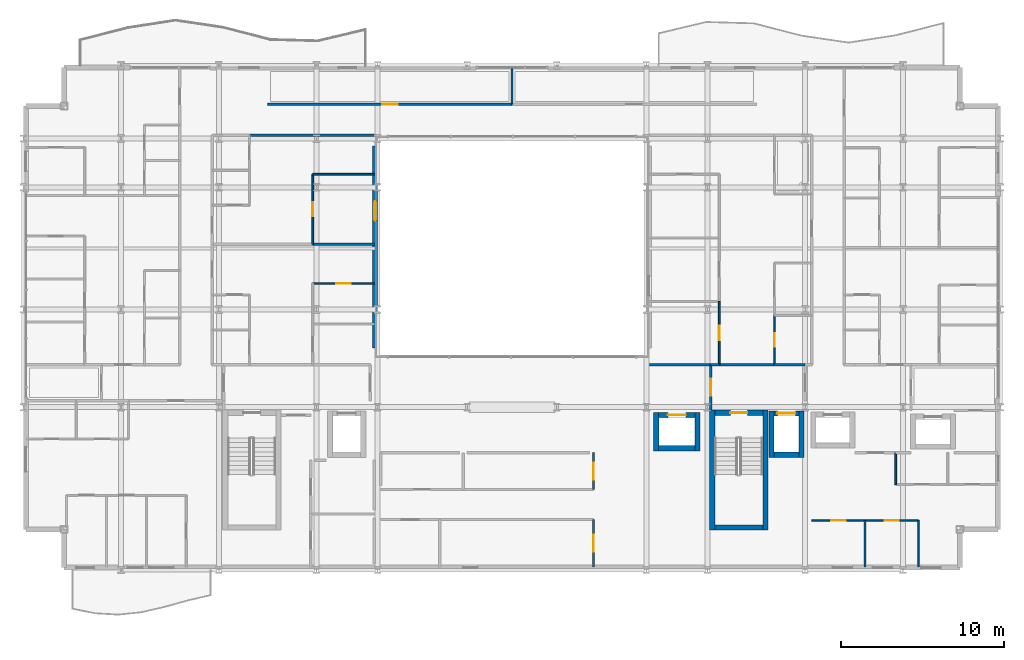
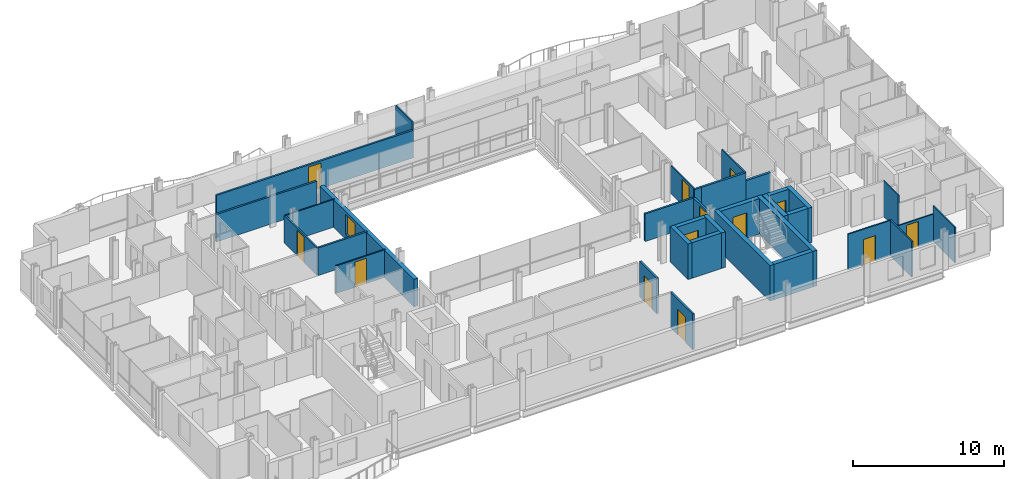
# One storey, part 34 of 41: 34 walls, 13 doors, 1 window, 14 openings.
"""IFC4 building model written with IfcOpenShell, lengths in metres."""

from ifc_helpers import new_model, si_unit, direction, frame, frame_2d, origin, place, context, subcontext, project, spatial, rectangle, extrude, material, layer, layer_set, type_object, element, fill, save


model = new_model("IFC4")

# Units and contexts
model_context = context("Model", 3, precision=1e-05, world=origin(), true_north=direction((0.0, 1.0)))
body_context = subcontext(model_context, "Body", "Model", "MODEL_VIEW")
ifc_project = project(units=[si_unit("LENGTHUNIT", "METRE"), si_unit("AREAUNIT", "SQUARE_METRE"), si_unit("VOLUMEUNIT", "CUBIC_METRE"), si_unit("PLANEANGLEUNIT", "RADIAN"), si_unit("MASSUNIT", "GRAM", prefix="KILO")], contexts=[model_context])

# Site, building, storey
site_placement = place(None, origin())
site = spatial("IfcSite", under=ifc_project, at=site_placement, CompositionType="ELEMENT")
building_placement = place(site_placement, origin())
building = spatial("IfcBuilding", under=site, at=building_placement, Name="Brevholm Reach", CompositionType="ELEMENT")
storey_placement = place(building_placement, frame((0.0, 0.0, 43.5)))
storey = spatial("IfcBuildingStorey", under=building, at=storey_placement, Name="L11", CompositionType="ELEMENT", Elevation=43.5)

# Walls
ifc_material_1 = material(Name="Concrete C60/75", Category="concrete")
ifc_layer_1 = layer(ifc_material_1, 0.320068359375)
ifc_layer_set_1 = layer_set([ifc_layer_1], Name="Concrete C60/75")
wall_type_1 = type_object("IfcWallType", Name="WAL-COR-320", PredefinedType="SHEAR", material=ifc_layer_set_1)
for number, where, z_axis, x_axis, name in (
    (1, (42.2900390625, 2.4599609375, 0.0), (0.0, 0.0, 1.0), (0.0, 1.0, 0.0), "L11 Escape Stair ST-2 Core Wall W"),
    (2, (45.56005859375, 2.4599609375, 0.0), (0.0, 0.0, 1.0), (0.0, 1.0, 0.0), "L11 Escape Stair ST-2 Core Wall E"),
):
    element("IfcWall", number, at=place(storey_placement, frame(where, z_axis=z_axis, x_axis=x_axis)), inside=storey, type_object=wall_type_1, Name=name, PredefinedType="SHEAR", context=body_context, shape_type="SweptSolid", body=[
        extrude(rectangle(XDim=7.360107421875, YDim=0.320068359375, at=frame_2d((3.68017578125, 0.0))), origin(), (0.0, 0.0, 1.0), 2.8701171875),
    ])
wall_1_placement = place(storey_placement, frame((42.449951171875, 2.6201171875, 0.0), z_axis=(0.0, 0.0, 1.0), x_axis=(1.0, 0.0, 0.0)))
element("IfcWall", 3, at=wall_1_placement, inside=storey, type_object=wall_type_1, Name="L11 Escape Stair ST-2 Core Wall S", PredefinedType="SHEAR", context=body_context, shape_type="SweptSolid", body=[
    extrude(rectangle(XDim=2.949951171875, YDim=0.320068359375, at=frame_2d((1.47509765625, 0.0))), origin(), (0.0, 0.0, 1.0), 2.8701171875),
])

# Wall, opening, door
wall_2_placement = place(storey_placement, frame((45.39990234375, 9.659912109375, 0.0), z_axis=(0.0, 0.0, 1.0), x_axis=(-1.0, 0.0, 0.0)))
wall_2 = element("IfcWall", 4, at=wall_2_placement, inside=storey, type_object=wall_type_1, Name="L11 Escape Stair ST-2 Core Wall N", PredefinedType="SHEAR", context=body_context, shape_type="SweptSolid", body=[
    extrude(rectangle(XDim=2.949951171875, YDim=0.320068359375, at=frame_2d((1.47509765625, 0.0))), origin(), (0.0, 0.0, 1.0), 2.8701171875),
])
opening_1_placement = place(wall_2_placement, frame((0.949951171875, 0.0, 0.0)))
opening_1 = element("IfcOpeningElement", 5, at=opening_1_placement, cuts=wall_2, Name="Opening SD-ST-2", PredefinedType="OPENING", context=body_context, shape_type="SweptSolid", body=[
    extrude(rectangle(XDim=1.050048828125, YDim=2.06005859375, at=frame_2d((0.52490234375, 1.030029296875))), frame((0.0, 0.169921875, 0.0), z_axis=(0.0, -1.0, 0.0), x_axis=(1.0, 0.0, 0.0)), (0.0, 0.0, 1.0), 0.340087890625),
])
ifc_material_2 = material(Name="Hardwood-Lipped Steel-Core Fire and Smoke Door", Category="steel")
door_type_1 = type_object("IfcDoorType", Name="DOR-INT-FD60S", OperationType="NOTDEFINED", PredefinedType="DOOR", material=ifc_material_2)
door_1_placement = place(opening_1_placement, origin())
door_1 = element("IfcDoor", 6, at=door_1_placement, inside=storey, type_object=door_type_1, Name="L11 Protected Stair ST-2 Lobby Door", OperationType="SINGLE_SWING_RIGHT", OverallHeight=2.06005859375, OverallWidth=1.050048828125, PredefinedType="DOOR", context=body_context, shape_type="SweptSolid", body=[
    extrude(rectangle(XDim=1.050048828125, YDim=2.06005859375, at=frame_2d((0.52490234375, 1.030029296875))), frame((0.0, 0.02490234375, 0.0), z_axis=(0.0, -1.0, 0.0), x_axis=(1.0, 0.0, 0.0)), (0.0, 0.0, 1.0), 0.050048828125),
])
fill(opening_1, door_1)

# Walls
for number, where, z_axis, x_axis, name in (
    (7, (45.929931640625, 6.919921875, 0.0), (0.0, 0.0, 1.0), (0.0, 1.0, 0.0), "L11 Lift FFL-2 Shaft Wall W"),
    (8, (47.77001953125, 6.919921875, 0.0), (0.0, 0.0, 1.0), (0.0, 1.0, 0.0), "L11 Lift FFL-2 Shaft Wall E"),
):
    element("IfcWall", number, at=place(storey_placement, frame(where, z_axis=z_axis, x_axis=x_axis)), inside=storey, type_object=wall_type_1, Name=name, PredefinedType="SHEAR", context=body_context, shape_type="SweptSolid", body=[
        extrude(rectangle(XDim=2.860107421875, YDim=0.320068359375, at=frame_2d((1.43017578125, 0.0))), origin(), (0.0, 0.0, 1.0), 2.8701171875),
    ])
wall_3_placement = place(storey_placement, frame((46.090087890625, 7.080078125, 0.0), z_axis=(0.0, 0.0, 1.0), x_axis=(1.0, 0.0, 0.0)))
element("IfcWall", 9, at=wall_3_placement, inside=storey, type_object=wall_type_1, Name="L11 Lift FFL-2 Shaft Wall S", PredefinedType="SHEAR", context=body_context, shape_type="SweptSolid", body=[
    extrude(rectangle(XDim=1.52001953125, YDim=0.320068359375, at=frame_2d((0.760009765625, 0.0))), origin(), (0.0, 0.0, 1.0), 2.8701171875),
])

# Wall, opening, door
wall_4_placement = place(storey_placement, frame((46.090087890625, 9.6201171875, 0.0), z_axis=(0.0, 0.0, 1.0), x_axis=(1.0, 0.0, 0.0)))
wall_4 = element("IfcWall", 10, at=wall_4_placement, inside=storey, type_object=wall_type_1, Name="L11 Lift FFL-2 Shaft Wall N", PredefinedType="SHEAR", context=body_context, shape_type="SweptSolid", body=[
    extrude(rectangle(XDim=1.52001953125, YDim=0.320068359375, at=frame_2d((0.760009765625, 0.0))), origin(), (0.0, 0.0, 1.0), 2.8701171875),
])
opening_2_placement = place(wall_4_placement, frame((0.2099609375, 0.0, 0.0)))
opening_2 = element("IfcOpeningElement", 11, at=opening_2_placement, cuts=wall_4, Name="Opening LD-FFL-2", PredefinedType="OPENING", context=body_context, shape_type="SweptSolid", body=[
    extrude(rectangle(XDim=1.10009765625, YDim=2.06005859375, at=frame_2d((0.550048828125, 1.030029296875))), frame((0.0, 0.169921875, 0.0), z_axis=(0.0, -1.0, 0.0), x_axis=(1.0, 0.0, 0.0)), (0.0, 0.0, 1.0), 0.340087890625),
])
ifc_material_3 = material(Name="Brushed Stainless Steel Fire-Rated Sliding Lift Door", Category="steel")
door_type_2 = type_object("IfcDoorType", Name="DOR-LFT-1100", OperationType="NOTDEFINED", PredefinedType="DOOR", material=ifc_material_3)
door_2_placement = place(opening_2_placement, origin())
door_2 = element("IfcDoor", 12, at=door_2_placement, inside=storey, type_object=door_type_2, Name="L11 Lift FFL-2 Sliding Landing Door", OperationType="SLIDING_TO_RIGHT", OverallHeight=2.06005859375, OverallWidth=1.10009765625, PredefinedType="DOOR", context=body_context, shape_type="SweptSolid", body=[
    extrude(rectangle(XDim=1.10009765625, YDim=2.06005859375, at=frame_2d((0.550048828125, 1.030029296875))), frame((0.0, 0.02490234375, 0.0), z_axis=(0.0, -1.0, 0.0), x_axis=(1.0, 0.0, 0.0)), (0.0, 0.0, 1.0), 0.050048828125),
])
fill(opening_2, door_2)

# Walls
for number, where, z_axis, x_axis, name in (
    (13, (38.85009765625, 7.320068359375, 0.0), (0.0, 0.0, 1.0), (0.0, 1.0, 0.0), "L11 Lift PL-S1 Shaft Wall W"),
    (14, (41.389892578125, 7.320068359375, 0.0), (0.0, 0.0, 1.0), (0.0, 1.0, 0.0), "L11 Lift PL-S1 Shaft Wall E"),
):
    element("IfcWall", number, at=place(storey_placement, frame(where, z_axis=z_axis, x_axis=x_axis)), inside=storey, type_object=wall_type_1, Name=name, PredefinedType="SHEAR", context=body_context, shape_type="SweptSolid", body=[
        extrude(rectangle(XDim=2.35986328125, YDim=0.320068359375, at=frame_2d((1.179931640625, 0.0))), origin(), (0.0, 0.0, 1.0), 2.8701171875),
    ])
wall_5_placement = place(storey_placement, frame((39.010009765625, 7.47998046875, 0.0), z_axis=(0.0, 0.0, 1.0), x_axis=(1.0, 0.0, 0.0)))
element("IfcWall", 15, at=wall_5_placement, inside=storey, type_object=wall_type_1, Name="L11 Lift PL-S1 Shaft Wall S", PredefinedType="SHEAR", context=body_context, shape_type="SweptSolid", body=[
    extrude(rectangle(XDim=2.219970703125, YDim=0.320068359375, at=frame_2d((1.10986328125, 0.0))), origin(), (0.0, 0.0, 1.0), 2.8701171875),
])

# Wall, opening, door
wall_6_placement = place(storey_placement, frame((39.010009765625, 9.52001953125, 0.0), z_axis=(0.0, 0.0, 1.0), x_axis=(1.0, 0.0, 0.0)))
wall_6 = element("IfcWall", 16, at=wall_6_placement, inside=storey, type_object=wall_type_1, Name="L11 Lift PL-S1 Shaft Wall N", PredefinedType="SHEAR", context=body_context, shape_type="SweptSolid", body=[
    extrude(rectangle(XDim=2.219970703125, YDim=0.320068359375, at=frame_2d((1.10986328125, 0.0))), origin(), (0.0, 0.0, 1.0), 2.8701171875),
])
opening_3_placement = place(wall_6_placement, frame((0.56005859375, 0.0, 0.0)))
opening_3 = element("IfcOpeningElement", 17, at=opening_3_placement, cuts=wall_6, Name="Opening LD-PL-S1", PredefinedType="OPENING", context=body_context, shape_type="SweptSolid", body=[
    extrude(rectangle(XDim=1.10009765625, YDim=2.06005859375, at=frame_2d((0.550048828125, 1.030029296875))), frame((0.0, 0.169921875, 0.0), z_axis=(0.0, -1.0, 0.0), x_axis=(1.0, 0.0, 0.0)), (0.0, 0.0, 1.0), 0.340087890625),
])
door_3_placement = place(opening_3_placement, origin())
door_3 = element("IfcDoor", 18, at=door_3_placement, inside=storey, type_object=door_type_2, Name="L11 Lift PL-S1 Sliding Landing Door", OperationType="SLIDING_TO_LEFT", OverallHeight=2.06005859375, OverallWidth=1.10009765625, PredefinedType="DOOR", context=body_context, shape_type="SweptSolid", body=[
    extrude(rectangle(XDim=1.10009765625, YDim=2.06005859375, at=frame_2d((0.550048828125, 1.030029296875))), frame((0.0, 0.02490234375, 0.0), z_axis=(0.0, -1.0, 0.0), x_axis=(1.0, 0.0, 0.0)), (0.0, 0.0, 1.0), 0.050048828125),
])
fill(opening_3, door_3)

# Wall, opening, window
ifc_material_4 = material(Name="Concrete C40/50", Category="concrete")
ifc_layer_2 = layer(ifc_material_4, 0.300048828125)
ifc_layer_set_2 = layer_set([ifc_layer_2], Name="Concrete C40/50")
wall_type_2 = type_object("IfcWallType", Name="WAL-EXT-300", PredefinedType="STANDARD", material=ifc_layer_set_2)
wall_7_placement = place(storey_placement, frame((21.60009765625, 26.050048828125, 0.0), z_axis=(0.0, 0.0, 1.0), x_axis=(0.0, -1.0, 0.0)))
wall_7 = element("IfcWall", 19, at=wall_7_placement, inside=storey, type_object=wall_type_2, Name="L11 Facade Wall WAL-L11-AT-W", PredefinedType="STANDARD", context=body_context, shape_type="SweptSolid", body=[
    extrude(rectangle(XDim=12.400146484375, YDim=0.300048828125, at=frame_2d((6.2001953125, 0.0))), origin(), (0.0, 0.0, 1.0), 2.224853515625),
])
opening_4_placement = place(wall_7_placement, frame((3.39990234375, 0.0, 0.405029296875)))
opening_4 = element("IfcOpeningElement", 20, at=opening_4_placement, cuts=wall_7, Name="Opening WN-08", PredefinedType="OPENING", context=body_context, shape_type="SweptSolid", body=[
    extrude(rectangle(XDim=1.199951171875, YDim=1.60009765625, at=frame_2d((0.60009765625, 0.800048828125))), frame((0.0, 0.159912109375, 0.0), z_axis=(0.0, -1.0, 0.0), x_axis=(1.0, 0.0, 0.0)), (0.0, 0.0, 1.0), 0.320068359375),
])
ifc_material_5 = material(Name="Dark Anodised Aluminium and Solar-Control IGU Glass", Category="aluminium")
window_type = type_object("IfcWindowType", Name="WIN-RES-1200", PartitioningType="SINGLE_PANEL", PredefinedType="WINDOW", material=ifc_material_5)
window_placement = place(opening_4_placement, origin())
window = element("IfcWindow", 21, at=window_placement, inside=storey, type_object=window_type, Name="L11 Window WIN-L11-AT-W1", OverallHeight=1.60009765625, OverallWidth=1.199951171875, PartitioningType="SINGLE_PANEL", PredefinedType="WINDOW", context=body_context, shape_type="SweptSolid", body=[
    extrude(rectangle(XDim=1.199951171875, YDim=1.60009765625, at=frame_2d((0.60009765625, 0.800048828125))), frame((0.0, 0.030029296875, 0.0), z_axis=(0.0, -1.0, 0.0), x_axis=(1.0, 0.0, 0.0)), (0.0, 0.0, 1.0), 0.06005859375),
])
fill(opening_4, window)

# Walls
ifc_material_6 = material(Name="Moisture-Resistant Acoustic Gypsum Stud Partition 100 mm", Category="gypsum")
ifc_layer_3 = layer(ifc_material_6, 0.10009765625)
ifc_layer_set_3 = layer_set([ifc_layer_3], Name="Moisture-Resistant Acoustic Gypsum Stud Partition 100 mm")
wall_type_3 = type_object("IfcWallType", Name="WAL-PRT-100", PredefinedType="PARTITIONING", material=ifc_layer_set_3)
wall_8_placement = place(storey_placement, frame((53.55810546875, 5.25, 0.0), z_axis=(0.0, 0.0, 1.0), x_axis=(0.0, 1.0, 0.0)))
element("IfcWall", 22, at=wall_8_placement, inside=storey, type_object=wall_type_3, Name="L11 Internal Partition 088", PredefinedType="PARTITIONING", context=body_context, shape_type="SweptSolid", body=[
    extrude(rectangle(XDim=1.946044921875, YDim=0.10009765625, at=frame_2d((0.97314453125, 0.0))), origin(), (0.0, 0.0, 1.0), 2.8701171875),
])
wall_9_placement = place(storey_placement, frame((51.675048828125, 0.199951171875, 0.0), z_axis=(0.0, 0.0, 1.0), x_axis=(0.0, 1.0, 0.0)))
element("IfcWall", 23, at=wall_9_placement, inside=storey, type_object=wall_type_3, Name="L11 Internal Partition 089", PredefinedType="PARTITIONING", context=body_context, shape_type="SweptSolid", body=[
    extrude(rectangle(XDim=2.85009765625, YDim=0.10009765625, at=frame_2d((1.425048828125, 0.0))), origin(), (0.0, 0.0, 1.0), 2.8701171875),
])

# Wall, opening, door
wall_10_placement = place(storey_placement, frame((48.39990234375, 3.050048828125, 0.0), z_axis=(0.0, 0.0, 1.0), x_axis=(1.0, 0.0, 0.0)))
wall_10 = element("IfcWall", 24, at=wall_10_placement, inside=storey, type_object=wall_type_3, Name="L11 Internal Partition 090", PredefinedType="PARTITIONING", context=body_context, shape_type="SweptSolid", body=[
    extrude(rectangle(XDim=3.275146484375, YDim=0.10009765625, at=frame_2d((1.6376953125, 0.0))), origin(), (0.0, 0.0, 1.0), 2.8701171875),
])
opening_5_placement = place(wall_10_placement, frame((1.197509765625, 0.0, 0.0)))
opening_5 = element("IfcOpeningElement", 25, at=opening_5_placement, cuts=wall_10, Name="Opening ID-01", PredefinedType="OPENING", context=body_context, shape_type="SweptSolid", body=[
    extrude(rectangle(XDim=0.8798828125, YDim=2.0400390625, at=frame_2d((0.43994140625, 1.02001953125))), frame((0.0, 0.06005859375, 0.0), z_axis=(0.0, -1.0, 0.0), x_axis=(1.0, 0.0, 0.0)), (0.0, 0.0, 1.0), 0.1201171875),
])
ifc_material_7 = material(Name="Lacquered Ash Solid-Core Acoustic Internal Door", Category="timber")
door_type_3 = type_object("IfcDoorType", Name="DOR-INT-880", OperationType="NOTDEFINED", PredefinedType="DOOR", material=ifc_material_7)
door_4_placement = place(opening_5_placement, origin())
door_4 = element("IfcDoor", 26, at=door_4_placement, inside=storey, type_object=door_type_3, Name="L11 Internal Door 032", OperationType="SINGLE_SWING_LEFT", OverallHeight=2.0400390625, OverallWidth=0.8798828125, PredefinedType="DOOR", context=body_context, shape_type="SweptSolid", body=[
    extrude(rectangle(XDim=0.8798828125, YDim=2.0400390625, at=frame_2d((0.43994140625, 1.02001953125))), frame((0.0, 0.02490234375, 0.0), z_axis=(0.0, -1.0, 0.0), x_axis=(1.0, 0.0, 0.0)), (0.0, 0.0, 1.0), 0.050048828125),
])
fill(opening_5, door_4)

# Wall
wall_11_placement = place(storey_placement, frame((54.949951171875, 0.199951171875, 0.0), z_axis=(0.0, 0.0, 1.0), x_axis=(0.0, 1.0, 0.0)))
element("IfcWall", 27, at=wall_11_placement, inside=storey, type_object=wall_type_3, Name="L11 Internal Partition 091", PredefinedType="PARTITIONING", context=body_context, shape_type="SweptSolid", body=[
    extrude(rectangle(XDim=2.85009765625, YDim=0.10009765625, at=frame_2d((1.425048828125, 0.0))), origin(), (0.0, 0.0, 1.0), 2.8701171875),
])

# Wall, opening, door
wall_12_placement = place(storey_placement, frame((51.678955078125, 3.050048828125, 0.0), z_axis=(0.0, 0.0, 1.0), x_axis=(1.0, 0.0, 0.0)))
wall_12 = element("IfcWall", 28, at=wall_12_placement, inside=storey, type_object=wall_type_3, Name="L11 Internal Partition 092", PredefinedType="PARTITIONING", context=body_context, shape_type="SweptSolid", body=[
    extrude(rectangle(XDim=3.27099609375, YDim=0.10009765625, at=frame_2d((1.635498046875, 0.0))), origin(), (0.0, 0.0, 1.0), 2.224853515625),
])
opening_6_placement = place(wall_12_placement, frame((1.195556640625, 0.0, 0.0)))
opening_6 = element("IfcOpeningElement", 29, at=opening_6_placement, cuts=wall_12, Name="Opening ID-01", PredefinedType="OPENING", context=body_context, shape_type="SweptSolid", body=[
    extrude(rectangle(XDim=0.8798828125, YDim=2.0400390625, at=frame_2d((0.43994140625, 1.02001953125))), frame((0.0, 0.06005859375, 0.0), z_axis=(0.0, -1.0, 0.0), x_axis=(1.0, 0.0, 0.0)), (0.0, 0.0, 1.0), 0.1201171875),
])
door_5_placement = place(opening_6_placement, origin())
door_5 = element("IfcDoor", 30, at=door_5_placement, inside=storey, type_object=door_type_3, Name="L11 Internal Door 033", OperationType="SINGLE_SWING_RIGHT", OverallHeight=2.0400390625, OverallWidth=0.8798828125, PredefinedType="DOOR", context=body_context, shape_type="SweptSolid", body=[
    extrude(rectangle(XDim=0.8798828125, YDim=2.0400390625, at=frame_2d((0.43994140625, 1.02001953125))), frame((0.0, 0.02490234375, 0.0), z_axis=(0.0, -1.0, 0.0), x_axis=(1.0, 0.0, 0.0)), (0.0, 0.0, 1.0), 0.050048828125),
])
fill(opening_6, door_5)

wall_13_placement = place(storey_placement, frame((17.76904296875, 17.60009765625, 0.0), z_axis=(0.0, 0.0, 1.0), x_axis=(1.0, 0.0, 0.0)))
wall_13 = element("IfcWall", 31, at=wall_13_placement, inside=storey, type_object=wall_type_3, Name="L11 Internal Partition 118", PredefinedType="PARTITIONING", context=body_context, shape_type="SweptSolid", body=[
    extrude(rectangle(XDim=3.781005859375, YDim=0.10009765625, at=frame_2d((1.890625, 0.0))), origin(), (0.0, 0.0, 1.0), 2.224853515625),
])
opening_7_placement = place(wall_13_placement, frame((1.450439453125, 0.0, 0.0)))
opening_7 = element("IfcOpeningElement", 32, at=opening_7_placement, cuts=wall_13, Name="Opening ID-01", PredefinedType="OPENING", context=body_context, shape_type="SweptSolid", body=[
    extrude(rectangle(XDim=0.8798828125, YDim=2.0400390625, at=frame_2d((0.43994140625, 1.02001953125))), frame((0.0, 0.06005859375, 0.0), z_axis=(0.0, -1.0, 0.0), x_axis=(1.0, 0.0, 0.0)), (0.0, 0.0, 1.0), 0.1201171875),
])
door_6_placement = place(opening_7_placement, origin())
door_6 = element("IfcDoor", 33, at=door_6_placement, inside=storey, type_object=door_type_3, Name="L11 Internal Door 045", OperationType="SINGLE_SWING_RIGHT", OverallHeight=2.0400390625, OverallWidth=0.8798828125, PredefinedType="DOOR", context=body_context, shape_type="SweptSolid", body=[
    extrude(rectangle(XDim=0.8798828125, YDim=2.0400390625, at=frame_2d((0.43994140625, 1.02001953125))), frame((0.0, 0.02490234375, 0.0), z_axis=(0.0, -1.0, 0.0), x_axis=(1.0, 0.0, 0.0)), (0.0, 0.0, 1.0), 0.050048828125),
])
fill(opening_7, door_6)

# Wall
wall_14_placement = place(storey_placement, frame((17.76904296875, 24.300048828125, 0.0), z_axis=(0.0, 0.0, 1.0), x_axis=(1.0, 0.0, 0.0)))
element("IfcWall", 34, at=wall_14_placement, inside=storey, type_object=wall_type_3, Name="L11 Internal Partition 126", PredefinedType="PARTITIONING", context=body_context, shape_type="SweptSolid", body=[
    extrude(rectangle(XDim=3.781005859375, YDim=0.10009765625, at=frame_2d((1.890625, 0.0))), origin(), (0.0, 0.0, 1.0), 2.224853515625),
])

# Wall, opening, door
wall_15_placement = place(storey_placement, frame((17.76904296875, 20.00390625, 0.0), z_axis=(0.0, 0.0, 1.0), x_axis=(0.0, 1.0, 0.0)))
wall_15 = element("IfcWall", 35, at=wall_15_placement, inside=storey, type_object=wall_type_3, Name="L11 Internal Partition 127", PredefinedType="PARTITIONING", context=body_context, shape_type="SweptSolid", body=[
    extrude(rectangle(XDim=4.296142578125, YDim=0.10009765625, at=frame_2d((2.14794921875, 0.0))), origin(), (0.0, 0.0, 1.0), 2.224853515625),
])
opening_8_placement = place(wall_15_placement, frame((1.7080078125, 0.0, 0.0)))
opening_8 = element("IfcOpeningElement", 36, at=opening_8_placement, cuts=wall_15, Name="Opening ID-01", PredefinedType="OPENING", context=body_context, shape_type="SweptSolid", body=[
    extrude(rectangle(XDim=0.8798828125, YDim=2.0400390625, at=frame_2d((0.43994140625, 1.02001953125))), frame((0.0, 0.06005859375, 0.0), z_axis=(0.0, -1.0, 0.0), x_axis=(1.0, 0.0, 0.0)), (0.0, 0.0, 1.0), 0.1201171875),
])
door_7_placement = place(opening_8_placement, origin())
door_7 = element("IfcDoor", 37, at=door_7_placement, inside=storey, type_object=door_type_3, Name="L11 Internal Door 048", OperationType="SINGLE_SWING_LEFT", OverallHeight=2.0400390625, OverallWidth=0.8798828125, PredefinedType="DOOR", context=body_context, shape_type="SweptSolid", body=[
    extrude(rectangle(XDim=0.8798828125, YDim=2.0400390625, at=frame_2d((0.43994140625, 1.02001953125))), frame((0.0, 0.02490234375, 0.0), z_axis=(0.0, -1.0, 0.0), x_axis=(1.0, 0.0, 0.0)), (0.0, 0.0, 1.0), 0.050048828125),
])
fill(opening_8, door_7)

wall_16_placement = place(storey_placement, frame((46.112060546875, 12.60400390625, 0.0), z_axis=(0.0, 0.0, 1.0), x_axis=(0.0, 1.0, 0.0)))
wall_16 = element("IfcWall", 38, at=wall_16_placement, inside=storey, type_object=wall_type_3, Name="L11 Internal Partition 129", PredefinedType="PARTITIONING", context=body_context, shape_type="SweptSolid", body=[
    extrude(rectangle(XDim=3.0458984375, YDim=0.10009765625, at=frame_2d((1.52294921875, 0.0))), origin(), (0.0, 0.0, 1.0), 2.8701171875),
])
opening_9_placement = place(wall_16_placement, frame((1.113037109375, 0.0, 0.0)))
opening_9 = element("IfcOpeningElement", 39, at=opening_9_placement, cuts=wall_16, Name="Opening ID-03", PredefinedType="OPENING", context=body_context, shape_type="SweptSolid", body=[
    extrude(rectangle(XDim=0.820068359375, YDim=2.02001953125, at=frame_2d((0.41015625, 1.010009765625))), frame((0.0, 0.06005859375, 0.0), z_axis=(0.0, -1.0, 0.0), x_axis=(1.0, 0.0, 0.0)), (0.0, 0.0, 1.0), 0.1201171875),
])
ifc_material_8 = material(Name="Moisture-Resistant Painted Timber Internal Bathroom Door", Category="wood")
door_type_4 = type_object("IfcDoorType", Name="DOR-BATH-820", OperationType="NOTDEFINED", PredefinedType="DOOR", material=ifc_material_8)
door_8_placement = place(opening_9_placement, origin())
door_8 = element("IfcDoor", 40, at=door_8_placement, inside=storey, type_object=door_type_4, Name="L11 Internal Door 049", OperationType="SINGLE_SWING_RIGHT", OverallHeight=2.02001953125, OverallWidth=0.820068359375, PredefinedType="DOOR", context=body_context, shape_type="SweptSolid", body=[
    extrude(rectangle(XDim=0.820068359375, YDim=2.02001953125, at=frame_2d((0.41015625, 1.010009765625))), frame((0.0, 0.02490234375, 0.0), z_axis=(0.0, -1.0, 0.0), x_axis=(1.0, 0.0, 0.0)), (0.0, 0.0, 1.0), 0.050048828125),
])
fill(opening_9, door_8)

wall_17_placement = place(storey_placement, frame((42.72802734375, 12.60400390625, 0.0), z_axis=(0.0, 0.0, 1.0), x_axis=(0.0, 1.0, 0.0)))
wall_17 = element("IfcWall", 41, at=wall_17_placement, inside=storey, type_object=wall_type_3, Name="L11 Internal Partition 135", PredefinedType="PARTITIONING", context=body_context, shape_type="SweptSolid", body=[
    extrude(rectangle(XDim=3.89599609375, YDim=0.10009765625, at=frame_2d((1.947998046875, 0.0))), origin(), (0.0, 0.0, 1.0), 2.224853515625),
])
opening_10_placement = place(wall_17_placement, frame((1.508056640625, 0.0, 0.0)))
opening_10 = element("IfcOpeningElement", 42, at=opening_10_placement, cuts=wall_17, Name="Opening ID-01", PredefinedType="OPENING", context=body_context, shape_type="SweptSolid", body=[
    extrude(rectangle(XDim=0.8798828125, YDim=2.0400390625, at=frame_2d((0.43994140625, 1.02001953125))), frame((0.0, 0.06005859375, 0.0), z_axis=(0.0, -1.0, 0.0), x_axis=(1.0, 0.0, 0.0)), (0.0, 0.0, 1.0), 0.1201171875),
])
door_9_placement = place(opening_10_placement, origin())
door_9 = element("IfcDoor", 43, at=door_9_placement, inside=storey, type_object=door_type_3, Name="L11 Internal Door 052", OperationType="SINGLE_SWING_LEFT", OverallHeight=2.0400390625, OverallWidth=0.8798828125, PredefinedType="DOOR", context=body_context, shape_type="SweptSolid", body=[
    extrude(rectangle(XDim=0.8798828125, YDim=2.0400390625, at=frame_2d((0.43994140625, 1.02001953125))), frame((0.0, 0.02490234375, 0.0), z_axis=(0.0, -1.0, 0.0), x_axis=(1.0, 0.0, 0.0)), (0.0, 0.0, 1.0), 0.050048828125),
])
fill(opening_10, door_9)

# Wall
wall_18_placement = place(storey_placement, frame((30.0, 28.60400390625, 0.0), z_axis=(0.0, 0.0, 1.0), x_axis=(0.0, 1.0, 0.0)))
element("IfcWall", 44, at=wall_18_placement, inside=storey, type_object=wall_type_3, Name="L11 Internal Partition 159", PredefinedType="PARTITIONING", context=body_context, shape_type="SweptSolid", body=[
    extrude(rectangle(XDim=2.196044921875, YDim=0.10009765625, at=frame_2d((1.09814453125, 0.0))), origin(), (0.0, 0.0, 1.0), 2.8701171875),
])

# Wall, opening, door
ifc_material_9 = material(Name="Twin-Stud Acoustic Fire-Rated Gypsum Partition 140 mm", Category="gypsum")
ifc_layer_4 = layer(ifc_material_9, 0.139892578125)
ifc_layer_set_4 = layer_set([ifc_layer_4], Name="Twin-Stud Acoustic Fire-Rated Gypsum Partition 140 mm")
wall_type_4 = type_object("IfcWallType", Name="WAL-PRT-140", PredefinedType="PARTITIONING", material=ifc_layer_set_4)
wall_19_placement = place(storey_placement, frame((35.0, 0.179931640625, 0.0), z_axis=(0.0, 0.0, 1.0), x_axis=(0.0, 1.0, 0.0)))
wall_19 = element("IfcWall", 45, at=wall_19_placement, inside=storey, type_object=wall_type_4, Name="L11 Internal Partition 001", PredefinedType="PARTITIONING", context=body_context, shape_type="SweptSolid", body=[
    extrude(rectangle(XDim=2.927490234375, YDim=0.139892578125, at=frame_2d((1.4638671875, 0.0))), origin(), (0.0, 0.0, 1.0), 2.8701171875),
])
opening_11_placement = place(wall_19_placement, frame((0.938720703125, 0.0, 0.0)))
opening_11 = element("IfcOpeningElement", 46, at=opening_11_placement, cuts=wall_19, Name="Opening FD-01", PredefinedType="OPENING", context=body_context, shape_type="SweptSolid", body=[
    extrude(rectangle(XDim=1.050048828125, YDim=2.06005859375, at=frame_2d((0.52490234375, 1.030029296875))), frame((0.0, 0.079833984375, 0.0), z_axis=(0.0, -1.0, 0.0), x_axis=(1.0, 0.0, 0.0)), (0.0, 0.0, 1.0), 0.159912109375),
])
door_10_placement = place(opening_11_placement, origin())
door_10 = element("IfcDoor", 47, at=door_10_placement, inside=storey, type_object=door_type_1, Name="L11 Internal Door 001", OperationType="SINGLE_SWING_RIGHT", OverallHeight=2.06005859375, OverallWidth=1.050048828125, PredefinedType="DOOR", context=body_context, shape_type="SweptSolid", body=[
    extrude(rectangle(XDim=1.050048828125, YDim=2.06005859375, at=frame_2d((0.52490234375, 1.030029296875))), frame((0.0, 0.02490234375, 0.0), z_axis=(0.0, -1.0, 0.0), x_axis=(1.0, 0.0, 0.0)), (0.0, 0.0, 1.0), 0.050048828125),
])
fill(opening_11, door_10)

wall_20_placement = place(storey_placement, frame((35.0, 4.942626953125, 0.0), z_axis=(0.0, 0.0, 1.0), x_axis=(0.0, 1.0, 0.0)))
wall_20 = element("IfcWall", 48, at=wall_20_placement, inside=storey, type_object=wall_type_4, Name="L11 Internal Partition 002", PredefinedType="PARTITIONING", context=body_context, shape_type="SweptSolid", body=[
    extrude(rectangle(XDim=2.2685546875, YDim=0.139892578125, at=frame_2d((1.13427734375, 0.0))), origin(), (0.0, 0.0, 1.0), 2.8701171875),
])
opening_12_placement = place(wall_20_placement, frame((0.609375, 0.0, 0.0)))
opening_12 = element("IfcOpeningElement", 49, at=opening_12_placement, cuts=wall_20, Name="Opening FD-01", PredefinedType="OPENING", context=body_context, shape_type="SweptSolid", body=[
    extrude(rectangle(XDim=1.050048828125, YDim=2.06005859375, at=frame_2d((0.52490234375, 1.030029296875))), frame((0.0, 0.079833984375, 0.0), z_axis=(0.0, -1.0, 0.0), x_axis=(1.0, 0.0, 0.0)), (0.0, 0.0, 1.0), 0.159912109375),
])
door_11_placement = place(opening_12_placement, origin())
door_11 = element("IfcDoor", 50, at=door_11_placement, inside=storey, type_object=door_type_1, Name="L11 Internal Door 002", OperationType="SINGLE_SWING_LEFT", OverallHeight=2.06005859375, OverallWidth=1.050048828125, PredefinedType="DOOR", context=body_context, shape_type="SweptSolid", body=[
    extrude(rectangle(XDim=1.050048828125, YDim=2.06005859375, at=frame_2d((0.52490234375, 1.030029296875))), frame((0.0, 0.02490234375, 0.0), z_axis=(0.0, -1.0, 0.0), x_axis=(1.0, 0.0, 0.0)), (0.0, 0.0, 1.0), 0.050048828125),
])
fill(opening_12, door_11)

# Walls
wall_21_placement = place(storey_placement, frame((38.438720703125, 12.60009765625, 0.0), z_axis=(0.0, 0.0, 1.0), x_axis=(1.0, 0.0, 0.0)))
element("IfcWall", 51, at=wall_21_placement, inside=storey, type_object=wall_type_4, Name="L11 Internal Partition 035", PredefinedType="PARTITIONING", context=body_context, shape_type="SweptSolid", body=[
    extrude(rectangle(XDim=3.75732421875, YDim=0.139892578125, at=frame_2d((1.878662109375, 0.0))), origin(), (0.0, 0.0, 1.0), 2.224853515625),
])
wall_22_placement = place(storey_placement, frame((13.881591796875, 26.699951171875, 0.0), z_axis=(0.0, 0.0, 1.0), x_axis=(1.0, 0.0, 0.0)))
element("IfcWall", 52, at=wall_22_placement, inside=storey, type_object=wall_type_4, Name="L11 Internal Partition 061", PredefinedType="PARTITIONING", context=body_context, shape_type="SweptSolid", body=[
    extrude(rectangle(XDim=7.6796875, YDim=0.139892578125, at=frame_2d((3.83984375, 0.0))), origin(), (0.0, 0.0, 1.0), 2.224853515625),
])

# Wall, opening, door
wall_23_placement = place(storey_placement, frame((14.98876953125, 28.60009765625, 0.0), z_axis=(0.0, 0.0, 1.0), x_axis=(1.0, 0.0, 0.0)))
wall_23 = element("IfcWall", 53, at=wall_23_placement, inside=storey, type_object=wall_type_4, Name="L11 Internal Partition 064", PredefinedType="PARTITIONING", context=body_context, shape_type="SweptSolid", body=[
    extrude(rectangle(XDim=15.0224609375, YDim=0.139892578125, at=frame_2d((7.51123046875, 0.0))), origin(), (0.0, 0.0, 1.0), 2.224853515625),
])
opening_13_placement = place(wall_23_placement, frame((7.036376953125, 0.0, 0.0)))
opening_13 = element("IfcOpeningElement", 54, at=opening_13_placement, cuts=wall_23, Name="Opening ID-30", PredefinedType="OPENING", context=body_context, shape_type="SweptSolid", body=[
    extrude(rectangle(XDim=0.949951171875, YDim=2.050048828125, at=frame_2d((0.47509765625, 1.02490234375))), frame((0.0, 0.079833984375, 0.0), z_axis=(0.0, -1.0, 0.0), x_axis=(1.0, 0.0, 0.0)), (0.0, 0.0, 1.0), 0.159912109375),
])
ifc_material_10 = material(Name="European Oak Veneered Solid-Core Fire Entrance Door", Category="timber")
door_type_5 = type_object("IfcDoorType", Name="DOR-FLT-FD30S", OperationType="NOTDEFINED", PredefinedType="DOOR", material=ifc_material_10)
door_12_placement = place(opening_13_placement, origin())
door_12 = element("IfcDoor", 55, at=door_12_placement, inside=storey, type_object=door_type_5, Name="L11 Internal Door 023", OperationType="SINGLE_SWING_RIGHT", OverallHeight=2.050048828125, OverallWidth=0.949951171875, PredefinedType="DOOR", context=body_context, shape_type="SweptSolid", body=[
    extrude(rectangle(XDim=0.949951171875, YDim=2.050048828125, at=frame_2d((0.47509765625, 1.02490234375))), frame((0.0, 0.02490234375, 0.0), z_axis=(0.0, -1.0, 0.0), x_axis=(1.0, 0.0, 0.0)), (0.0, 0.0, 1.0), 0.050048828125),
])
fill(opening_13, door_12)

# Wall
wall_24_placement = place(storey_placement, frame((17.7578125, 20.0, 0.0), z_axis=(0.0, 0.0, 1.0), x_axis=(1.0, 0.0, 0.0)))
element("IfcWall", 56, at=wall_24_placement, inside=storey, type_object=wall_type_4, Name="L11 Internal Partition 120", PredefinedType="PARTITIONING", context=body_context, shape_type="SweptSolid", body=[
    extrude(rectangle(XDim=3.792236328125, YDim=0.139892578125, at=frame_2d((1.89599609375, 0.0))), origin(), (0.0, 0.0, 1.0), 2.224853515625),
])

# Wall, opening, door
ifc_material_11 = material(Name="Twin-Frame Fire-Rated Gypsum Board and Mineral Wool 160 mm", Category="gypsum")
ifc_layer_5 = layer(ifc_material_11, 0.159912109375)
ifc_layer_set_5 = layer_set([ifc_layer_5], Name="Twin-Frame Fire-Rated Gypsum Board and Mineral Wool 160 mm")
wall_type_5 = type_object("IfcWallType", Name="WAL-PRT-160", PredefinedType="PARTITIONING", material=ifc_layer_set_5)
wall_25_placement = place(storey_placement, frame((42.199951171875, 9.830078125, 0.0), z_axis=(0.0, 0.0, 1.0), x_axis=(0.0, 1.0, 0.0)))
wall_25 = element("IfcWall", 57, at=wall_25_placement, inside=storey, type_object=wall_type_5, Name="L11 Internal Partition 024", PredefinedType="PARTITIONING", context=body_context, shape_type="SweptSolid", body=[
    extrude(rectangle(XDim=2.77001953125, YDim=0.159912109375, at=frame_2d((1.385009765625, 0.0))), origin(), (0.0, 0.0, 1.0), 2.224853515625),
])
opening_14_placement = place(wall_25_placement, frame((0.860107421875, 0.0, 0.0)))
opening_14 = element("IfcOpeningElement", 58, at=opening_14_placement, cuts=wall_25, Name="Opening FD-01", PredefinedType="OPENING", context=body_context, shape_type="SweptSolid", body=[
    extrude(rectangle(XDim=1.050048828125, YDim=2.06005859375, at=frame_2d((0.52490234375, 1.030029296875))), frame((0.0, 0.08984375, 0.0), z_axis=(0.0, -1.0, 0.0), x_axis=(1.0, 0.0, 0.0)), (0.0, 0.0, 1.0), 0.179931640625),
])
door_13_placement = place(opening_14_placement, origin())
door_13 = element("IfcDoor", 59, at=door_13_placement, inside=storey, type_object=door_type_1, Name="L11 Internal Door 013", OperationType="SINGLE_SWING_RIGHT", OverallHeight=2.06005859375, OverallWidth=1.050048828125, PredefinedType="DOOR", context=body_context, shape_type="SweptSolid", body=[
    extrude(rectangle(XDim=1.050048828125, YDim=2.06005859375, at=frame_2d((0.52490234375, 1.030029296875))), frame((0.0, 0.02490234375, 0.0), z_axis=(0.0, -1.0, 0.0), x_axis=(1.0, 0.0, 0.0)), (0.0, 0.0, 1.0), 0.050048828125),
])
fill(opening_14, door_13)

# Walls
wall_26_placement = place(storey_placement, frame((46.1005859375, 12.60009765625, 0.0), z_axis=(0.0, 0.0, 1.0), x_axis=(1.0, 0.0, 0.0)))
element("IfcWall", 60, at=wall_26_placement, inside=storey, type_object=wall_type_5, Name="L11 Internal Partition 026", PredefinedType="PARTITIONING", context=body_context, shape_type="SweptSolid", body=[
    extrude(rectangle(XDim=1.8994140625, YDim=0.159912109375, at=frame_2d((0.94970703125, 0.0))), origin(), (0.0, 0.0, 1.0), 2.224853515625),
])
wall_27_placement = place(storey_placement, frame((42.199951171875, 12.60009765625, 0.0), z_axis=(0.0, 0.0, 1.0), x_axis=(1.0, 0.0, 0.0)))
element("IfcWall", 61, at=wall_27_placement, inside=storey, type_object=wall_type_5, Name="L11 Internal Partition 027", PredefinedType="PARTITIONING", context=body_context, shape_type="SweptSolid", body=[
    extrude(rectangle(XDim=0.539306640625, YDim=0.159912109375, at=frame_2d((0.26953125, 0.0))), origin(), (0.0, 0.0, 1.0), 2.8701171875),
])
wall_28_placement = place(storey_placement, frame((42.720703125, 12.60009765625, 0.0), z_axis=(0.0, 0.0, 1.0), x_axis=(1.0, 0.0, 0.0)))
element("IfcWall", 62, at=wall_28_placement, inside=storey, type_object=wall_type_5, Name="L11 Internal Partition 028", PredefinedType="PARTITIONING", context=body_context, shape_type="SweptSolid", body=[
    extrude(rectangle(XDim=3.398681640625, YDim=0.159912109375, at=frame_2d((1.69921875, 0.0))), origin(), (0.0, 0.0, 1.0), 2.8701171875),
])

save(model, "model.ifc")
